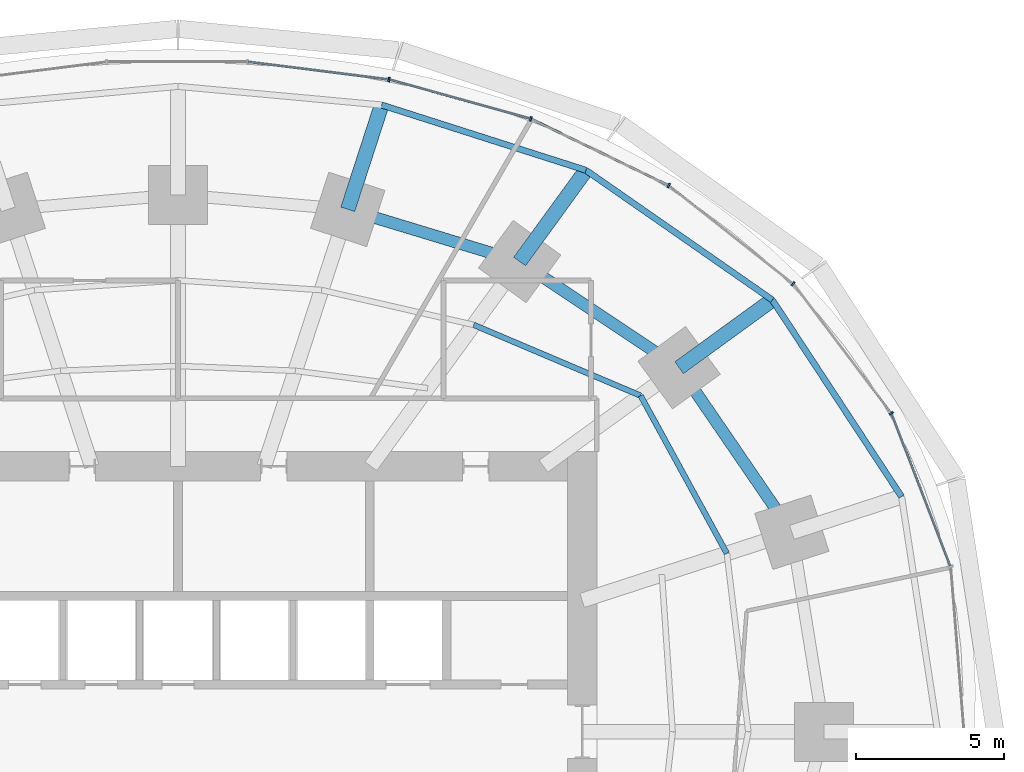
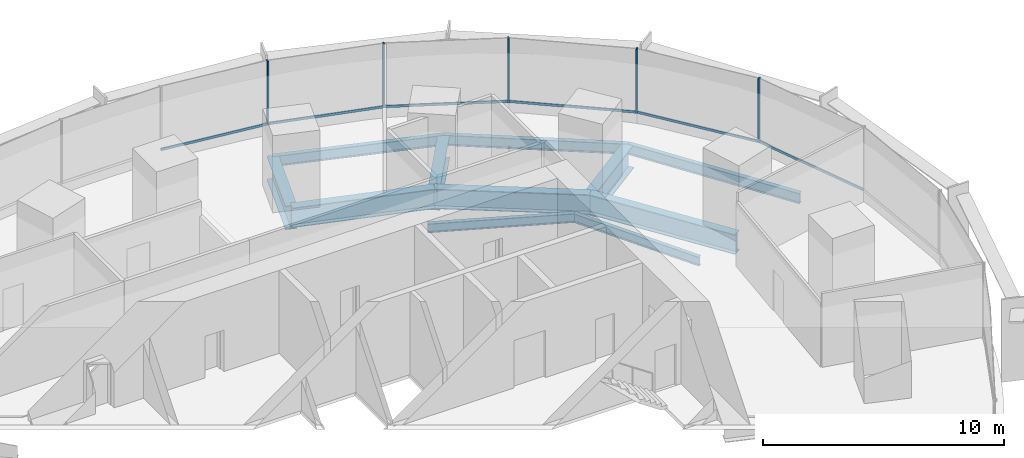
# One storey, part 9 of 15: 11 beams, 11 members, 2 elements without a shape of their own.
"""IFC4 building model written with IfcOpenShell, lengths in metres."""

from ifc_helpers import new_model, si_unit, direction, frame, origin, origin_2d, place, context, subcontext, project, spatial, rectangle, i_section, extrude, material, material_profile, profile_set, type_object, element, aggregate, save


model = new_model("IFC4")

# Units and contexts
model_context = context("Model", 3, precision=1e-05, world=origin(), true_north=direction((0.0, 1.0)))
body_context = subcontext(model_context, "Body", "Model", "MODEL_VIEW")
ifc_project = project(units=[si_unit("LENGTHUNIT", "METRE"), si_unit("AREAUNIT", "SQUARE_METRE"), si_unit("VOLUMEUNIT", "CUBIC_METRE"), si_unit("PLANEANGLEUNIT", "RADIAN"), si_unit("MASSUNIT", "GRAM", prefix="KILO")], contexts=[model_context])

# Site, building, storey
site_placement = place(None, origin())
site = spatial("IfcSite", under=ifc_project, at=site_placement, CompositionType="ELEMENT")
building_placement = place(site_placement, origin())
building = spatial("IfcBuilding", under=site, at=building_placement, Name="Marramba Exchange Tower", CompositionType="ELEMENT")
storey_placement = place(building_placement, frame((0.0, 0.0, 78.39990234375)))
storey = spatial("IfcBuildingStorey", under=building, at=storey_placement, Name="L18", CompositionType="ELEMENT", Elevation=78.39990234375)

# Beams
ifc_material_1 = material(Name="Steel AS/NZS 3679.2 grade 300", Category="steel")
ifc_material_profile_1 = material_profile(ifc_material_1, i_section(OverallWidth=0.5, OverallDepth=1.199951171875, WebThickness=0.01611328125, FlangeThickness=0.0400390625, at=origin_2d()), Name="1200WB455")
ifc_profile_set_1 = profile_set([ifc_material_profile_1], Name="Steel AS/NZS 3679.2 grade 300")
beam_type_1 = type_object("IfcBeamType", Name="Cantilever girder 1200WB455", PredefinedType="BEAM", material=ifc_profile_set_1)
beam_1_placement = place(storey_placement, frame((16.98583984375, 12.3408203125, -0.760009765625), z_axis=(0.808987260856, 0.587826174793, 0.0), x_axis=(-0.587826174793, 0.808987260856, 0.0)))
element("IfcBeam", 1, at=beam_1_placement, inside=storey, type_object=beam_type_1, Name="Cantilever girder L18 TC03", PredefinedType="BEAM", context=body_context, shape_type="SweptSolid", body=[
    extrude(i_section(OverallWidth=0.5, OverallDepth=1.199951171875, WebThickness=0.01611328125, FlangeThickness=0.0400390625, at=origin_2d()), origin(), (0.0, 0.0, 1.0), 3.90771484375),
])
beam_2_placement = place(storey_placement, frame((11.581298828125, 15.9404296875, -0.760009765625), z_axis=(0.587795827483, 0.809009310944, 0.0), x_axis=(-0.809009310944, 0.587795827483, 0.0)))
element("IfcBeam", 2, at=beam_2_placement, inside=storey, type_object=beam_type_1, Name="Cantilever girder L18 TC04", PredefinedType="BEAM", context=body_context, shape_type="SweptSolid", body=[
    extrude(i_section(OverallWidth=0.5, OverallDepth=1.199951171875, WebThickness=0.01611328125, FlangeThickness=0.0400390625, at=origin_2d()), origin(), (0.0, 0.0, 1.0), 3.82421875),
])
beam_3_placement = place(storey_placement, frame((5.75390625, 17.70849609375, -0.760009765625), z_axis=(0.308973290646, 0.951070715387, 0.0), x_axis=(-0.951070715387, 0.308973290646, 0.0)))
element("IfcBeam", 3, at=beam_3_placement, inside=storey, type_object=beam_type_1, Name="Cantilever girder L18 TC05", PredefinedType="BEAM", context=body_context, shape_type="SweptSolid", body=[
    extrude(i_section(OverallWidth=0.5, OverallDepth=1.199951171875, WebThickness=0.01611328125, FlangeThickness=0.0400390625, at=origin_2d()), origin(), (0.0, 0.0, 1.0), 3.72021484375),
])
ifc_material_2 = material(Name="Steel AS/NZS 3679.1 grade 300", Category="steel")
ifc_material_profile_2 = material_profile(ifc_material_2, i_section(OverallWidth=0.18994140625, OverallDepth=0.4541015625, WebThickness=0.008544921875, FlangeThickness=0.0126953125, FilletRadius=0.011474609375, at=origin_2d()), Name="460UB67.1")
ifc_profile_set_2 = profile_set([ifc_material_profile_2], Name="Steel AS/NZS 3679.1 grade 300")
beam_type_2 = type_object("IfcBeamType", Name="Floor joist 460UB67.1", PredefinedType="JOIST", material=ifc_profile_set_2)
beam_4_placement = place(storey_placement, frame((18.60546875, 6.04541015625, -0.386962890625), z_axis=(-0.479584443791, 0.877495732909, 0.0), x_axis=(-0.877495732909, -0.479584443791, 0.0)))
element("IfcBeam", 4, at=beam_4_placement, inside=storey, type_object=beam_type_2, Name="Joist L18 bay 02 row 2", PredefinedType="JOIST", context=body_context, shape_type="SweptSolid", body=[
    extrude(i_section(OverallWidth=0.18994140625, OverallDepth=0.4541015625, WebThickness=0.008544921875, FlangeThickness=0.0126953125, FilletRadius=0.011474609375, at=origin_2d()), origin(), (0.0, 0.0, 1.0), 6.094970703125),
])
beam_5_placement = place(storey_placement, frame((15.682373046875, 11.393798828125, -0.386962890625), z_axis=(-0.920674336375, 0.390331610738, 0.0), x_axis=(-0.390331610738, -0.920674336375, 0.0)))
element("IfcBeam", 5, at=beam_5_placement, inside=storey, type_object=beam_type_2, Name="Joist L18 bay 03 row 2", PredefinedType="JOIST", context=body_context, shape_type="SweptSolid", body=[
    extrude(i_section(OverallWidth=0.18994140625, OverallDepth=0.4541015625, WebThickness=0.008544921875, FlangeThickness=0.0126953125, FilletRadius=0.011474609375, at=origin_2d()), origin(), (0.0, 0.0, 1.0), 6.1484375),
])
ifc_material_profile_3 = material_profile(ifc_material_1, i_section(OverallWidth=0.39990234375, OverallDepth=1.0, WebThickness=0.01611328125, FlangeThickness=0.031982421875, at=origin_2d()), Name="1000WB322")
ifc_profile_set_3 = profile_set([ifc_material_profile_3], Name="Steel AS/NZS 3679.2 grade 300")
beam_type_3 = type_object("IfcBeamType", Name="Ring beam 1000WB322", PredefinedType="SPANDREL", material=ifc_profile_set_3)
beam_6_placement = place(storey_placement, frame((20.808349609375, 6.760986328125, -0.659912109375), z_axis=(-0.56516002054, 0.824981303535, 0.0), x_axis=(-0.824981303535, -0.56516002054, 0.0)))
element("IfcBeam", 6, at=beam_6_placement, inside=storey, type_object=beam_type_3, Name="Ring beam L18 TC02-TC03", PredefinedType="SPANDREL", context=body_context, shape_type="SweptSolid", body=[
    extrude(i_section(OverallWidth=0.39990234375, OverallDepth=1.0, WebThickness=0.01611328125, FlangeThickness=0.031982421875, at=origin_2d()), origin(), (0.0, 0.0, 1.0), 6.763671875),
])
beam_7_placement = place(storey_placement, frame((16.98583984375, 12.3408203125, -0.659912109375), z_axis=(-0.832293151443, 0.554335737673, 0.0), x_axis=(-0.554335737673, -0.832293151443, 0.0)))
element("IfcBeam", 7, at=beam_7_placement, inside=storey, type_object=beam_type_3, Name="Ring beam L18 TC03-TC04", PredefinedType="SPANDREL", context=body_context, shape_type="SweptSolid", body=[
    extrude(i_section(OverallWidth=0.39990234375, OverallDepth=1.0, WebThickness=0.01611328125, FlangeThickness=0.031982421875, at=origin_2d()), origin(), (0.0, 0.0, 1.0), 6.49365234375),
])
beam_8_placement = place(storey_placement, frame((11.581298828125, 15.9404296875, -0.659912109375), z_axis=(-0.956924542524, 0.290336735387, 0.0), x_axis=(-0.290336735387, -0.956924542524, 0.0)))
element("IfcBeam", 8, at=beam_8_placement, inside=storey, type_object=beam_type_3, Name="Ring beam L18 TC04-TC05", PredefinedType="SPANDREL", context=body_context, shape_type="SweptSolid", body=[
    extrude(i_section(OverallWidth=0.39990234375, OverallDepth=1.0, WebThickness=0.01611328125, FlangeThickness=0.031982421875, at=origin_2d()), origin(), (0.0, 0.0, 1.0), 6.089599609375),
])
ifc_material_profile_4 = material_profile(ifc_material_2, i_section(OverallWidth=0.208984375, OverallDepth=0.528076171875, WebThickness=0.009521484375, FlangeThickness=0.01318359375, FilletRadius=0.013916015625, at=origin_2d()), Name="530UB82.0")
ifc_profile_set_4 = profile_set([ifc_material_profile_4], Name="Steel AS/NZS 3679.1 grade 300")
beam_type_4 = type_object("IfcBeamType", Name="Slab edge beam 530UB82.0", PredefinedType="SPANDREL", material=ifc_profile_set_4)
beam_9_placement = place(storey_placement, frame((24.528564453125, 7.9697265625, -0.423828125), z_axis=(-0.549123544095, 0.835741188001, 0.0), x_axis=(-0.835741188001, -0.549123544095, 0.0)))
element("IfcBeam", 9, at=beam_9_placement, inside=storey, type_object=beam_type_4, Name="Slab edge beam L18 TC02-TC03", PredefinedType="SPANDREL", context=body_context, shape_type="SweptSolid", body=[
    extrude(i_section(OverallWidth=0.208984375, OverallDepth=0.528076171875, WebThickness=0.009521484375, FlangeThickness=0.01318359375, FilletRadius=0.013916015625, at=origin_2d()), origin(), (0.0, 0.0, 1.0), 7.978759765625),
])
beam_10_placement = place(storey_placement, frame((20.147216796875, 14.637939453125, -0.423828125), z_axis=(-0.820842487183, 0.571154629882, 0.0), x_axis=(-0.571154629882, -0.820842487183, 0.0)))
element("IfcBeam", 10, at=beam_10_placement, inside=storey, type_object=beam_type_4, Name="Slab edge beam L18 TC03-TC04", PredefinedType="SPANDREL", context=body_context, shape_type="SweptSolid", body=[
    extrude(i_section(OverallWidth=0.208984375, OverallDepth=0.528076171875, WebThickness=0.009521484375, FlangeThickness=0.01318359375, FilletRadius=0.013916015625, at=origin_2d()), origin(), (0.0, 0.0, 1.0), 7.697021484375),
])
beam_11_placement = place(storey_placement, frame((13.8291015625, 19.0341796875, -0.423828125), z_axis=(-0.952577642997, 0.304295635957, 0.0), x_axis=(-0.304295635957, -0.952577642997, 0.0)))
element("IfcBeam", 11, at=beam_11_placement, inside=storey, type_object=beam_type_4, Name="Slab edge beam L18 TC04-TC05", PredefinedType="SPANDREL", context=body_context, shape_type="SweptSolid", body=[
    extrude(i_section(OverallWidth=0.208984375, OverallDepth=0.528076171875, WebThickness=0.009521484375, FlangeThickness=0.01318359375, FilletRadius=0.013916015625, at=origin_2d()), origin(), (0.0, 0.0, 1.0), 7.2705078125),
])

# Curtain wall, members
ifc_material_3 = material(Name="Aluminium framing, bronze anodised", Category="aluminium")
curtain_wall_type = type_object("IfcCurtainWallType", Name="Trading floor ribbon curtain wall", PredefinedType="USERDEFINED", material=ifc_material_3)
curtain_wall_1_placement = place(storey_placement, origin())
curtain_wall_1 = element("IfcCurtainWall", 12, at=curtain_wall_1_placement, inside=storey, type_object=curtain_wall_type, Name="Curtain wall CW3 L18 F01-F05", ObjectType="RIBBON CURTAIN WALL", PredefinedType="USERDEFINED")
ifc_material_4 = material(Name="Aluminium mullion, bronze anodised", Category="aluminium")
ifc_material_profile_5 = material_profile(ifc_material_4, rectangle(XDim=0.159912109375, YDim=0.06005859375, at=origin_2d()), Name="CW3 mullion 60x160")
ifc_profile_set_5 = profile_set([ifc_material_profile_5], Name="Aluminium mullion, bronze anodised")
member_type_1 = type_object("IfcMemberType", Name="Trading floor ribbon curtain wall mullion", PredefinedType="MULLION", material=ifc_profile_set_5)
member_1_placement = place(storey_placement, frame((24.178466796875, 10.796875, 0.800048828125), z_axis=(0.0, 0.0, 1.0), x_axis=(-0.797748922445, -0.602989765036, 0.0)))
member_1 = element("IfcMember", 13, at=member_1_placement, type_object=member_type_1, Name="CW3 mullion 1", PredefinedType="MULLION", context=body_context, shape_type="SweptSolid", body=[
    extrude(rectangle(XDim=0.159912109375, YDim=0.06005859375, at=origin_2d()), origin(), (0.0, 0.0, 1.0), 3.239990234375),
])
member_2_placement = place(storey_placement, frame((20.851806640625, 15.185546875, 0.800048828125), z_axis=(0.0, 0.0, 1.0), x_axis=(-0.620649730166, -0.784087949432, 0.0)))
member_2 = element("IfcMember", 14, at=member_2_placement, type_object=member_type_1, Name="CW3 mullion 1", PredefinedType="MULLION", context=body_context, shape_type="SweptSolid", body=[
    extrude(rectangle(XDim=0.159912109375, YDim=0.06005859375, at=origin_2d()), origin(), (0.0, 0.0, 1.0), 3.239990234375),
])
member_3_placement = place(storey_placement, frame((16.63330078125, 18.516357421875, 0.800048828125), z_axis=(0.0, 0.0, 1.0), x_axis=(-0.43596538664, -0.899963433508, 0.0)))
member_3 = element("IfcMember", 15, at=member_3_placement, type_object=member_type_1, Name="CW3 mullion 1", PredefinedType="MULLION", context=body_context, shape_type="SweptSolid", body=[
    extrude(rectangle(XDim=0.159912109375, YDim=0.06005859375, at=origin_2d()), origin(), (0.0, 0.0, 1.0), 3.239990234375),
])

curtain_wall_2_placement = place(storey_placement, origin())
curtain_wall_2 = element("IfcCurtainWall", 16, at=curtain_wall_2_placement, inside=storey, type_object=curtain_wall_type, Name="Curtain wall CW3 L18 F06-F10", ObjectType="RIBBON CURTAIN WALL", PredefinedType="USERDEFINED")
member_4_placement = place(storey_placement, frame((11.96044921875, 20.774169921875, 0.800048828125), z_axis=(0.0, 0.0, 1.0), x_axis=(-0.267808735815, -0.963472096649, 0.0)))
member_4 = element("IfcMember", 17, at=member_4_placement, type_object=member_type_1, Name="CW3 mullion 1", PredefinedType="MULLION", context=body_context, shape_type="SweptSolid", body=[
    extrude(rectangle(XDim=0.159912109375, YDim=0.06005859375, at=origin_2d()), origin(), (0.0, 0.0, 1.0), 3.239990234375),
])
member_5_placement = place(storey_placement, frame((7.15185546875, 22.106201171875, 0.800048828125), z_axis=(0.0, 0.0, 1.0), x_axis=(-0.124872723099, -0.992172768738, 0.0)))
member_5 = element("IfcMember", 18, at=member_5_placement, type_object=member_type_1, Name="CW3 mullion 1", PredefinedType="MULLION", context=body_context, shape_type="SweptSolid", body=[
    extrude(rectangle(XDim=0.159912109375, YDim=0.06005859375, at=origin_2d()), origin(), (0.0, 0.0, 1.0), 3.239990234375),
])

# Member
ifc_material_5 = material(Name="Aluminium transom, bronze anodised", Category="aluminium")
ifc_material_profile_6 = material_profile(ifc_material_5, rectangle(XDim=0.06005859375, YDim=0.1201171875, at=origin_2d()), Name="CW3 transom 60x120")
ifc_profile_set_6 = profile_set([ifc_material_profile_6], Name="Aluminium transom, bronze anodised")
member_type_2 = type_object("IfcMemberType", Name="Trading floor ribbon curtain wall transom", PredefinedType="USERDEFINED", material=ifc_profile_set_6)
member_6_placement = place(storey_placement, frame((26.179931640625, 5.625244140625, 0.830078125), z_axis=(-0.359533581349, 0.933132147063, 0.0), x_axis=(-0.933132147063, -0.359533581349, 0.0)))
member_6 = element("IfcMember", 19, at=member_6_placement, type_object=member_type_2, Name="CW3 sill transom", ObjectType="TRANSOM", PredefinedType="USERDEFINED", context=body_context, shape_type="SweptSolid", body=[
    extrude(rectangle(XDim=0.06005859375, YDim=0.1201171875, at=origin_2d()), origin(), (0.0, 0.0, 1.0), 5.5166015625),
])

member_7_placement = place(storey_placement, frame((24.160400390625, 10.82080078125, 0.830078125), z_axis=(-0.602985866158, 0.797751869452, 0.0), x_axis=(-0.797751869452, -0.602985866158, 0.0)))
member_7 = element("IfcMember", 20, at=member_7_placement, type_object=member_type_2, Name="CW3 sill transom", ObjectType="TRANSOM", PredefinedType="USERDEFINED", context=body_context, shape_type="SweptSolid", body=[
    extrude(rectangle(XDim=0.06005859375, YDim=0.1201171875, at=origin_2d()), origin(), (0.0, 0.0, 1.0), 5.44775390625),
])

member_8_placement = place(storey_placement, frame((20.828369140625, 15.2041015625, 0.830078125), z_axis=(-0.784097975735, 0.620637063385, 0.0), x_axis=(-0.620637063385, -0.784097975735, 0.0)))
member_8 = element("IfcMember", 21, at=member_8_placement, type_object=member_type_2, Name="CW3 sill transom", ObjectType="TRANSOM", PredefinedType="USERDEFINED", context=body_context, shape_type="SweptSolid", body=[
    extrude(rectangle(XDim=0.06005859375, YDim=0.1201171875, at=origin_2d()), origin(), (0.0, 0.0, 1.0), 5.315673828125),
])

member_9_placement = place(storey_placement, frame((16.6064453125, 18.529296875, 0.830078125), z_axis=(-0.89995331781, 0.43598626786, 0.0), x_axis=(-0.43598626786, -0.89995331781, 0.0)))
member_9 = element("IfcMember", 22, at=member_9_placement, type_object=member_type_2, Name="CW3 sill transom", ObjectType="TRANSOM", PredefinedType="USERDEFINED", context=body_context, shape_type="SweptSolid", body=[
    extrude(rectangle(XDim=0.06005859375, YDim=0.1201171875, at=origin_2d()), origin(), (0.0, 0.0, 1.0), 5.13037109375),
])

aggregate(curtain_wall_1, [member_6, member_1, member_7, member_2, member_8, member_3, member_9])

member_10_placement = place(storey_placement, frame((11.931396484375, 20.7822265625, 0.830078125), z_axis=(-0.963468938163, 0.267820098565, 0.0), x_axis=(-0.267820098565, -0.963468938163, 0.0)))
member_10 = element("IfcMember", 23, at=member_10_placement, type_object=member_type_2, Name="CW3 sill transom", ObjectType="TRANSOM", PredefinedType="USERDEFINED", context=body_context, shape_type="SweptSolid", body=[
    extrude(rectangle(XDim=0.06005859375, YDim=0.1201171875, at=origin_2d()), origin(), (0.0, 0.0, 1.0), 4.929931640625),
])

member_11_placement = place(storey_placement, frame((7.1220703125, 22.10986328125, 0.830078125), z_axis=(-0.99216810728, 0.124909755012, 0.0), x_axis=(-0.124909755012, -0.99216810728, 0.0)))
member_11 = element("IfcMember", 24, at=member_11_placement, type_object=member_type_2, Name="CW3 sill transom", ObjectType="TRANSOM", PredefinedType="USERDEFINED", context=body_context, shape_type="SweptSolid", body=[
    extrude(rectangle(XDim=0.06005859375, YDim=0.1201171875, at=origin_2d()), origin(), (0.0, 0.0, 1.0), 4.77294921875),
])

aggregate(curtain_wall_2, [member_4, member_10, member_5, member_11])

save(model, "model.ifc")
